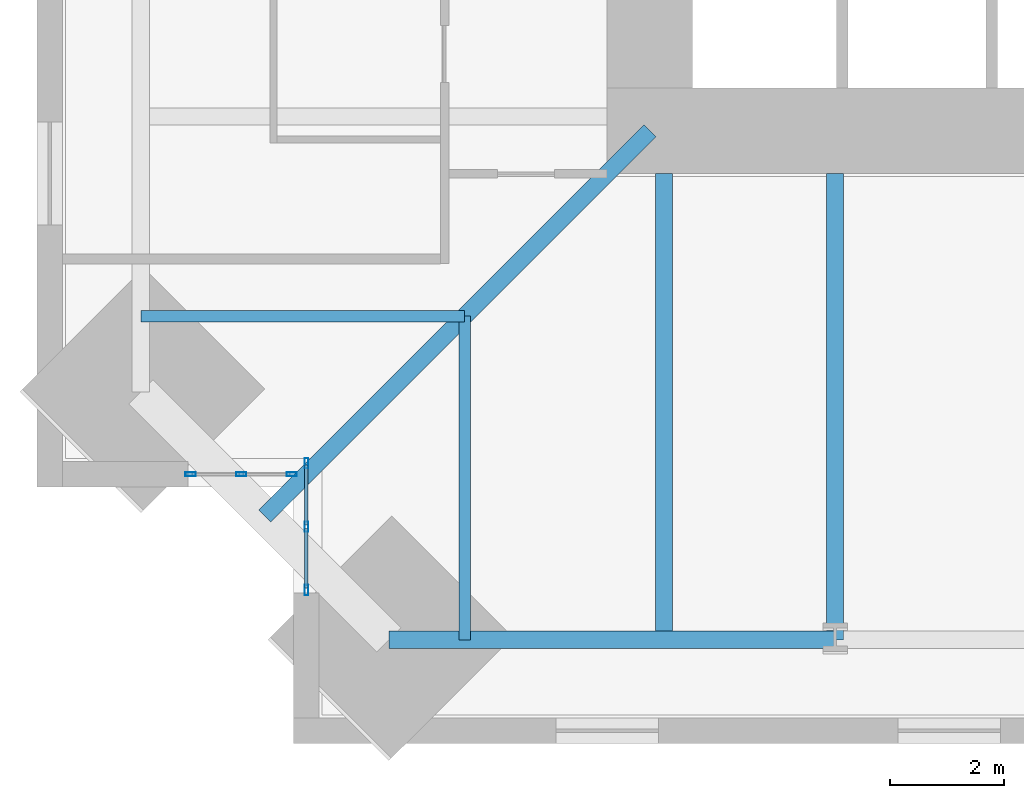
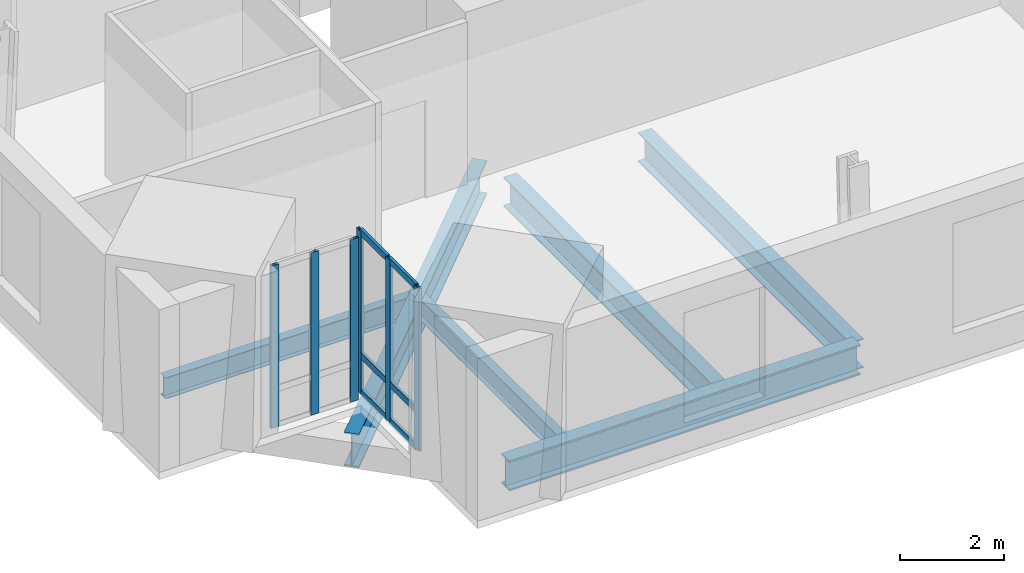
# One storey, part 2 of 16: 12 members, 6 beams, 2 elements without a shape of their own.
"""IFC4 building model written with IfcOpenShell, lengths in metres."""

from ifc_helpers import new_model, si_unit, direction, frame, origin, origin_2d, place, context, subcontext, project, spatial, hollow_rectangle, i_section, extrude, material, material_profile, profile_set, type_object, element, aggregate, save


model = new_model("IFC4")

# Units and contexts
model_context = context("Model", 3, precision=1e-05, world=origin(), true_north=direction((0.0, 1.0)))
body_context = subcontext(model_context, "Body", "Model", "MODEL_VIEW")
ifc_project = project(units=[si_unit("LENGTHUNIT", "METRE"), si_unit("AREAUNIT", "SQUARE_METRE"), si_unit("VOLUMEUNIT", "CUBIC_METRE"), si_unit("PLANEANGLEUNIT", "RADIAN"), si_unit("MASSUNIT", "GRAM", prefix="KILO")], contexts=[model_context])

# Site, building, storey
site_placement = place(None, origin())
site = spatial("IfcSite", under=ifc_project, at=site_placement, CompositionType="ELEMENT")
building_placement = place(site_placement, origin())
building = spatial("IfcBuilding", under=site, at=building_placement, Name="Peilmerk Tower", CompositionType="ELEMENT")
storey_placement = place(building_placement, frame((0.0, 0.0, 265.800048828125)))
storey = spatial("IfcBuildingStorey", under=building, at=storey_placement, Name="L59", CompositionType="ELEMENT", Elevation=265.800048828125)

# Beams
ifc_material_1 = material(Name="Steel S355", Category="steel")
ifc_material_profile_1 = material_profile(ifc_material_1, i_section(OverallWidth=0.300048828125, OverallDepth=0.68994140625, WebThickness=0.014404296875, FlangeThickness=0.027099609375, at=origin_2d()), Name="HEA 700")
ifc_profile_set_1 = profile_set([ifc_material_profile_1], Name="Steel S355")
beam_type_1 = type_object("IfcBeamType", Name="B16 HEA 700 floor beam", PredefinedType="BEAM", material=ifc_profile_set_1)
for number, where, z_axis, x_axis, name in (
    (1, (-11.0, -12.0, -0.51513671875), (0.0, -1.0, 0.0), (1.0, 0.0, 0.0), "Floor beam L59"),
    (2, (-8.0, -12.0, -0.51513671875), (0.0, -1.0, 0.0), (1.0, 0.0, 0.0), "Floor beam L59"),
):
    element("IfcBeam", number, at=place(storey_placement, frame(where, z_axis=z_axis, x_axis=x_axis)), inside=storey, type_object=beam_type_1, Name=name, PredefinedType="BEAM", context=body_context, shape_type="SweptSolid", body=[
        extrude(i_section(OverallWidth=0.300048828125, OverallDepth=0.68994140625, WebThickness=0.014404296875, FlangeThickness=0.027099609375, at=origin_2d()), origin(), (0.0, 0.0, 1.0), 8.178955078125),
    ])
ifc_material_profile_2 = material_profile(ifc_material_1, i_section(OverallWidth=0.300048828125, OverallDepth=0.7900390625, WebThickness=0.014892578125, FlangeThickness=0.028076171875, at=origin_2d()), Name="HEA 800")
ifc_profile_set_2 = profile_set([ifc_material_profile_2], Name="Steel S355")
beam_type_2 = type_object("IfcBeamType", Name="B3 HEA 800 floor beam", PredefinedType="BEAM", material=ifc_profile_set_2)
beam_1_placement = place(storey_placement, frame((-11.25, -11.25, -0.56494140625), z_axis=(-0.707106781187, -0.707106781187, 0.0), x_axis=(0.707106781187, -0.707106781187, 0.0)))
element("IfcBeam", 3, at=beam_1_placement, inside=storey, type_object=beam_type_2, Name="Corner girder L59", PredefinedType="BEAM", context=body_context, shape_type="SweptSolid", body=[
    extrude(i_section(OverallWidth=0.300048828125, OverallDepth=0.7900390625, WebThickness=0.014892578125, FlangeThickness=0.028076171875, at=origin_2d()), origin(), (0.0, 0.0, 1.0), 9.5517578125),
])
ifc_material_profile_3 = material_profile(ifc_material_1, i_section(OverallWidth=0.303955078125, OverallDepth=0.716064453125, WebThickness=0.02099609375, FlangeThickness=0.0400390625, at=origin_2d()), Name="HEM 700")
ifc_profile_set_3 = profile_set([ifc_material_profile_3], Name="Steel S355")
beam_type_3 = type_object("IfcBeamType", Name="B30 HEM 700 edge beam", PredefinedType="SPANDREL", material=ifc_profile_set_3)
beam_2_placement = place(storey_placement, frame((-15.8291015625, -20.178955078125, -0.528076171875), z_axis=(1.0, 0.0, 0.0), x_axis=(0.0, 1.0, 0.0)))
element("IfcBeam", 4, at=beam_2_placement, inside=storey, type_object=beam_type_3, Name="Edge beam L59", PredefinedType="SPANDREL", context=body_context, shape_type="SweptSolid", body=[
    extrude(i_section(OverallWidth=0.303955078125, OverallDepth=0.716064453125, WebThickness=0.02099609375, FlangeThickness=0.0400390625, at=origin_2d()), origin(), (0.0, 0.0, 1.0), 7.8291015625),
])
ifc_material_profile_4 = material_profile(ifc_material_1, i_section(OverallWidth=0.199951171875, OverallDepth=0.5, WebThickness=0.01025390625, FlangeThickness=0.01611328125, at=origin_2d()), Name="IPE 500")
ifc_profile_set_4 = profile_set([ifc_material_profile_4], Name="Steel S355")
beam_type_4 = type_object("IfcBeamType", Name="B32 IPE 500 floor beam", PredefinedType="BEAM", material=ifc_profile_set_4)
for number, where, z_axis, x_axis, name in (
    (5, (-14.5, -14.5, -0.420166015625), (0.0, -1.0, 0.0), (1.0, 0.0, 0.0), "Floor beam L59"),
    (6, (-14.5, -14.5, -0.420166015625), (-1.0, 0.0, 0.0), (0.0, -1.0, 0.0), "Floor beam L59"),
):
    element("IfcBeam", number, at=place(storey_placement, frame(where, z_axis=z_axis, x_axis=x_axis)), inside=storey, type_object=beam_type_4, Name=name, PredefinedType="BEAM", context=body_context, shape_type="SweptSolid", body=[
        extrude(i_section(OverallWidth=0.199951171875, OverallDepth=0.5, WebThickness=0.01025390625, FlangeThickness=0.01611328125, at=origin_2d()), origin(), (0.0, 0.0, 1.0), 5.678955078125),
    ])

# Curtain wall, members
ifc_material_2 = material(Name="Aluminium stick curtain wall", Category="aluminium")
curtain_wall_type = type_object("IfcCurtainWallType", Name="CW4 stick curtain wall, 2250 module", PredefinedType="NOTDEFINED", material=ifc_material_2)
curtain_wall_1_placement = place(storey_placement, origin())
curtain_wall_1 = element("IfcCurtainWall", 7, at=curtain_wall_1_placement, inside=storey, type_object=curtain_wall_type, Name="Curtain wall CW4 SWA L59", PredefinedType="NOTDEFINED")
ifc_material_3 = material(Name="Aluminium EN AW-6063 T6", Category="aluminium")
ifc_material_profile_5 = material_profile(ifc_material_3, hollow_rectangle(XDim=0.06494140625, YDim=0.179931640625, WallThickness=0.0029296875, at=origin_2d()), Name="AL 180x65x3")
ifc_profile_set_5 = profile_set([ifc_material_profile_5], Name="Aluminium EN AW-6063 T6")
member_type_1 = type_object("IfcMemberType", Name="CW4-M AL 180x65x3 mullion", PredefinedType="MULLION", material=ifc_profile_set_5)
member_1_placement = place(storey_placement, frame((-17.27490234375, -17.08251953125, 0.0), z_axis=(0.0, 0.0, 1.0), x_axis=(1.0, 0.0, 0.0)))
member_1 = element("IfcMember", 8, at=member_1_placement, type_object=member_type_1, Name="CW4 mullion 1", PredefinedType="MULLION", context=body_context, shape_type="SweptSolid", body=[
    extrude(hollow_rectangle(XDim=0.06494140625, YDim=0.179931640625, WallThickness=0.0029296875, at=origin_2d()), origin(), (0.0, 0.0, 1.0), 3.829833984375),
])
member_2_placement = place(storey_placement, frame((-17.27490234375, -18.1943359375, 0.0), z_axis=(0.0, 0.0, 1.0), x_axis=(1.0, 0.0, 0.0)))
member_2 = element("IfcMember", 9, at=member_2_placement, type_object=member_type_1, Name="CW4 mullion 2", PredefinedType="MULLION", context=body_context, shape_type="SweptSolid", body=[
    extrude(hollow_rectangle(XDim=0.06494140625, YDim=0.179931640625, WallThickness=0.0029296875, at=origin_2d()), origin(), (0.0, 0.0, 1.0), 3.829833984375),
])
member_3_placement = place(storey_placement, frame((-17.27490234375, -19.30615234375, 0.0), z_axis=(0.0, 0.0, 1.0), x_axis=(1.0, 0.0, 0.0)))
member_3 = element("IfcMember", 10, at=member_3_placement, type_object=member_type_1, Name="CW4 mullion 3", PredefinedType="MULLION", context=body_context, shape_type="SweptSolid", body=[
    extrude(hollow_rectangle(XDim=0.06494140625, YDim=0.179931640625, WallThickness=0.0029296875, at=origin_2d()), origin(), (0.0, 0.0, 1.0), 3.829833984375),
])

curtain_wall_2_placement = place(storey_placement, origin())
curtain_wall_2 = element("IfcCurtainWall", 11, at=curtain_wall_2_placement, inside=storey, type_object=curtain_wall_type, Name="Curtain wall CW4 SWB L59", PredefinedType="NOTDEFINED")
member_4_placement = place(storey_placement, frame((-17.532470703125, -17.27490234375, 0.0), z_axis=(0.0, 0.0, 1.0), x_axis=(0.0, -1.0, 0.0)))
member_4 = element("IfcMember", 12, at=member_4_placement, type_object=member_type_1, Name="CW4 mullion 1", PredefinedType="MULLION", context=body_context, shape_type="SweptSolid", body=[
    extrude(hollow_rectangle(XDim=0.06494140625, YDim=0.179931640625, WallThickness=0.0029296875, at=origin_2d()), origin(), (0.0, 0.0, 1.0), 3.829833984375),
])
member_5_placement = place(storey_placement, frame((-18.41943359375, -17.27490234375, 0.0), z_axis=(0.0, 0.0, 1.0), x_axis=(0.0, -1.0, 0.0)))
member_5 = element("IfcMember", 13, at=member_5_placement, type_object=member_type_1, Name="CW4 mullion 2", PredefinedType="MULLION", context=body_context, shape_type="SweptSolid", body=[
    extrude(hollow_rectangle(XDim=0.06494140625, YDim=0.179931640625, WallThickness=0.0029296875, at=origin_2d()), origin(), (0.0, 0.0, 1.0), 3.829833984375),
])
member_6_placement = place(storey_placement, frame((-19.30615234375, -17.27490234375, 0.0), z_axis=(0.0, 0.0, 1.0), x_axis=(0.0, -1.0, 0.0)))
member_6 = element("IfcMember", 14, at=member_6_placement, type_object=member_type_1, Name="CW4 mullion 3", PredefinedType="MULLION", context=body_context, shape_type="SweptSolid", body=[
    extrude(hollow_rectangle(XDim=0.06494140625, YDim=0.179931640625, WallThickness=0.0029296875, at=origin_2d()), origin(), (0.0, 0.0, 1.0), 3.829833984375),
])
aggregate(curtain_wall_2, [member_4, member_5, member_6])

# Member
ifc_material_profile_6 = material_profile(ifc_material_3, hollow_rectangle(XDim=0.06494140625, YDim=0.14990234375, WallThickness=0.0029296875, at=origin_2d()), Name="AL 150x65x3")
ifc_profile_set_6 = profile_set([ifc_material_profile_6], Name="Aluminium EN AW-6063 T6")
member_type_2 = type_object("IfcMemberType", Name="CW4-T AL 150x65x3 transom", PredefinedType="USERDEFINED", material=ifc_profile_set_6)
member_7_placement = place(storey_placement, frame((-17.27490234375, -17.114990234375, 0.032470703125), z_axis=(0.0, -1.0, 0.0), x_axis=(1.0, 0.0, 0.0)))
member_7 = element("IfcMember", 15, at=member_7_placement, type_object=member_type_2, Name="CW4 transom 1.1", ObjectType="TRANSOM", PredefinedType="USERDEFINED", context=body_context, shape_type="SweptSolid", body=[
    extrude(hollow_rectangle(XDim=0.06494140625, YDim=0.14990234375, WallThickness=0.0029296875, at=origin_2d()), origin(), (0.0, 0.0, 1.0), 1.046875),
])

member_8_placement = place(storey_placement, frame((-17.27490234375, -17.114990234375, 0.89990234375), z_axis=(0.0, -1.0, 0.0), x_axis=(1.0, 0.0, 0.0)))
member_8 = element("IfcMember", 16, at=member_8_placement, type_object=member_type_2, Name="CW4 transom 1.2", ObjectType="TRANSOM", PredefinedType="USERDEFINED", context=body_context, shape_type="SweptSolid", body=[
    extrude(hollow_rectangle(XDim=0.06494140625, YDim=0.14990234375, WallThickness=0.0029296875, at=origin_2d()), origin(), (0.0, 0.0, 1.0), 1.046875),
])

member_9_placement = place(storey_placement, frame((-17.27490234375, -17.114990234375, 3.79736328125), z_axis=(0.0, -1.0, 0.0), x_axis=(1.0, 0.0, 0.0)))
member_9 = element("IfcMember", 17, at=member_9_placement, type_object=member_type_2, Name="CW4 transom 1.3", ObjectType="TRANSOM", PredefinedType="USERDEFINED", context=body_context, shape_type="SweptSolid", body=[
    extrude(hollow_rectangle(XDim=0.06494140625, YDim=0.14990234375, WallThickness=0.0029296875, at=origin_2d()), origin(), (0.0, 0.0, 1.0), 1.046875),
])

member_10_placement = place(storey_placement, frame((-17.27490234375, -18.226806640625, 0.032470703125), z_axis=(0.0, -1.0, 0.0), x_axis=(1.0, 0.0, 0.0)))
member_10 = element("IfcMember", 18, at=member_10_placement, type_object=member_type_2, Name="CW4 transom 2.1", ObjectType="TRANSOM", PredefinedType="USERDEFINED", context=body_context, shape_type="SweptSolid", body=[
    extrude(hollow_rectangle(XDim=0.06494140625, YDim=0.14990234375, WallThickness=0.0029296875, at=origin_2d()), origin(), (0.0, 0.0, 1.0), 1.046875),
])

member_11_placement = place(storey_placement, frame((-17.27490234375, -18.226806640625, 0.89990234375), z_axis=(0.0, -1.0, 0.0), x_axis=(1.0, 0.0, 0.0)))
member_11 = element("IfcMember", 19, at=member_11_placement, type_object=member_type_2, Name="CW4 transom 2.2", ObjectType="TRANSOM", PredefinedType="USERDEFINED", context=body_context, shape_type="SweptSolid", body=[
    extrude(hollow_rectangle(XDim=0.06494140625, YDim=0.14990234375, WallThickness=0.0029296875, at=origin_2d()), origin(), (0.0, 0.0, 1.0), 1.046875),
])

member_12_placement = place(storey_placement, frame((-17.27490234375, -18.226806640625, 3.79736328125), z_axis=(0.0, -1.0, 0.0), x_axis=(1.0, 0.0, 0.0)))
member_12 = element("IfcMember", 20, at=member_12_placement, type_object=member_type_2, Name="CW4 transom 2.3", ObjectType="TRANSOM", PredefinedType="USERDEFINED", context=body_context, shape_type="SweptSolid", body=[
    extrude(hollow_rectangle(XDim=0.06494140625, YDim=0.14990234375, WallThickness=0.0029296875, at=origin_2d()), origin(), (0.0, 0.0, 1.0), 1.046875),
])

aggregate(curtain_wall_1, [member_1, member_2, member_3, member_7, member_8, member_9, member_10, member_11, member_12])

save(model, "model.ifc")
